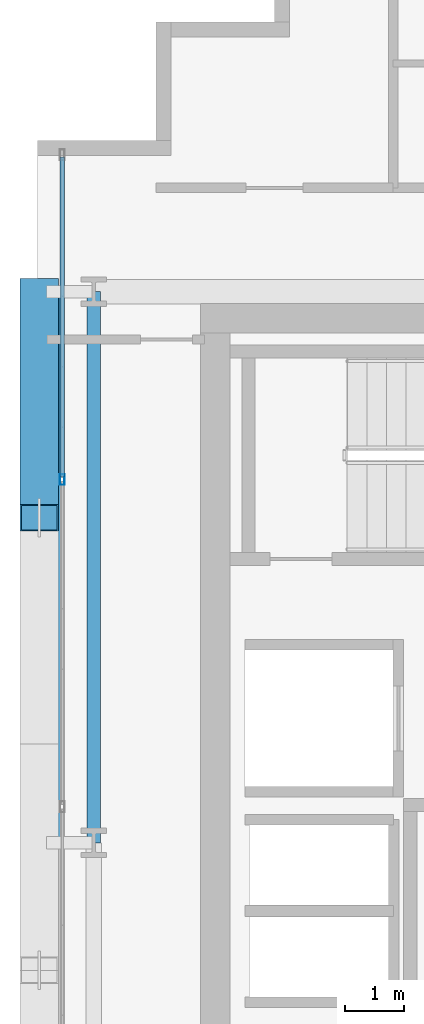
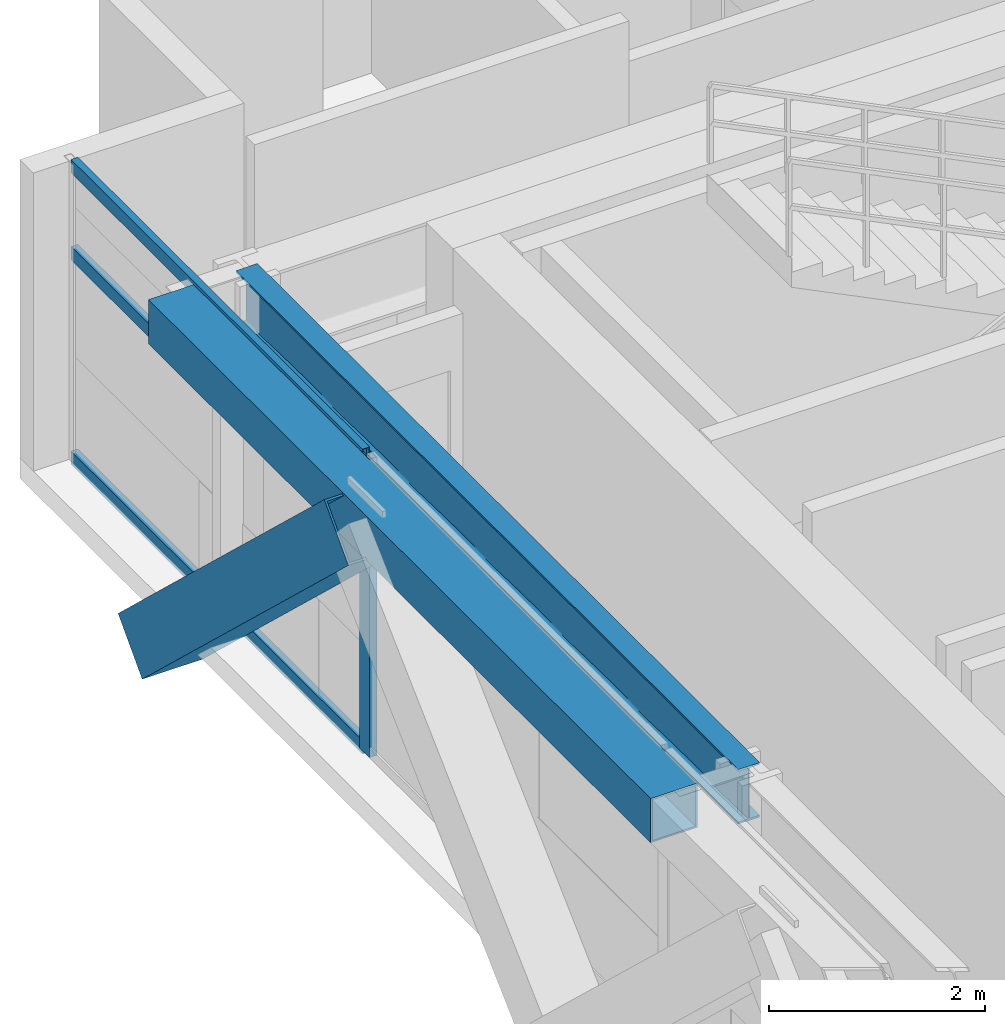
# One storey, part 8 of 31: 5 members, 2 beams, 1 element without a shape of its own.
"""IFC4 building model written with IfcOpenShell, lengths in metres."""

from ifc_helpers import new_model, si_unit, direction, frame, origin, origin_2d, place, context, subcontext, project, spatial, hollow_rectangle, i_section, extrude, source, transform, mapped, material, layer, layer_set, material_profile, profile_set, type_object, element, aggregate, save


model = new_model("IFC4")

# Units and contexts
model_context = context("Model", 3, precision=1e-05, world=origin(), true_north=direction((0.0, 1.0)))
body_context = subcontext(model_context, "Body", "Model", "MODEL_VIEW")
ifc_project = project(units=[si_unit("LENGTHUNIT", "METRE"), si_unit("AREAUNIT", "SQUARE_METRE"), si_unit("VOLUMEUNIT", "CUBIC_METRE"), si_unit("PLANEANGLEUNIT", "RADIAN"), si_unit("MASSUNIT", "GRAM", prefix="KILO")], contexts=[model_context])

# Site, building, storey
site_placement = place(None, origin())
site = spatial("IfcSite", under=ifc_project, at=site_placement, CompositionType="ELEMENT")
building_placement = place(site_placement, origin())
building = spatial("IfcBuilding", under=site, at=building_placement, Name="Ocotamira Hotel", CompositionType="ELEMENT")
storey_placement = place(building_placement, frame((0.0, 0.0, 181.199951171875)))
storey = spatial("IfcBuildingStorey", under=building, at=storey_placement, Name="L45", CompositionType="ELEMENT", Elevation=181.199951171875)

# Beams
ifc_material_1 = material(Name="Steel ASTM A992 Grade 50", Category="steel")
ifc_material_profile_1 = material_profile(ifc_material_1, i_section(OverallWidth=0.22998046875, OverallDepth=0.616943359375, WebThickness=0.01318359375, FlangeThickness=0.022216796875, FilletRadius=0.012939453125, at=origin_2d()), Name="W24X94")
ifc_profile_set_1 = profile_set([ifc_material_profile_1], Name="Steel ASTM A992 Grade 50")
beam_type_1 = type_object("IfcBeamType", Name="BM-PRIM-W24X94", PredefinedType="BEAM", material=ifc_profile_set_1)
shared_shape_1 = source(origin(), body_context, "Body", "SweptSolid", [
    extrude(i_section(OverallWidth=0.22998046875, OverallDepth=0.616943359375, WebThickness=0.01318359375, FlangeThickness=0.022216796875, FilletRadius=0.012939453125, at=origin_2d()), origin(), (0.0, 0.0, 1.0), 9.300048828125),
])
beam_1_placement = place(storey_placement, frame((8.949951171875, 28.14990234375, 3.0615234375), z_axis=(0.0, 1.0, 0.0), x_axis=(-1.0, 0.0, 0.0)))
element("IfcBeam", 1, at=beam_1_placement, inside=storey, type_object=beam_type_1, Name="L45 Beam X8.95 Y28.15-37.45", PredefinedType="BEAM", context=body_context, shape_type="MappedRepresentation", body=[
    mapped(shared_shape_1, transform((0.0, 0.0, 0.0), scale=1.0)),
])
ifc_material_2 = material(Name="Steel ASTM A500 Grade C", Category="steel")
ifc_material_profile_2 = material_profile(ifc_material_2, hollow_rectangle(XDim=0.5, YDim=0.5, WallThickness=0.02001953125, at=origin_2d()), Name="HSS500X500X20")
ifc_profile_set_2 = profile_set([ifc_material_profile_2], Name="Steel ASTM A500 Grade C")
beam_type_2 = type_object("IfcBeamType", Name="BM-SPAN-HSS500", PredefinedType="USERDEFINED", material=ifc_profile_set_2)
shared_shape_2 = source(origin(), body_context, "Body", "SweptSolid", [
    extrude(hollow_rectangle(XDim=0.5, YDim=0.5, WallThickness=0.02001953125, at=origin_2d()), origin(), (0.0, 0.0, 1.0), 9.300048828125),
])
beam_2_placement = place(storey_placement, frame((8.14990234375, 28.14990234375, 3.1201171875), z_axis=(0.0, 1.0, 0.0), x_axis=(-1.0, 0.0, 0.0)))
element("IfcBeam", 2, at=beam_2_placement, inside=storey, type_object=beam_type_2, Name="L45 Edge Spandrel W Y28.15-37.45", ObjectType="SPANDREL", PredefinedType="USERDEFINED", context=body_context, shape_type="MappedRepresentation", body=[
    mapped(shared_shape_2, transform((0.0, 0.0, 0.0), scale=1.0)),
])

# Member
ifc_material_3 = material(Name="Pale-metal coated steel ASTM A913 Grade 65", Category="steel")
ifc_material_profile_3 = material_profile(ifc_material_3, hollow_rectangle(XDim=0.64990234375, YDim=0.64990234375, WallThickness=0.02197265625, at=origin_2d()), Name="BOX650X650X22")
ifc_profile_set_3 = profile_set([ifc_material_profile_3], Name="Pale-metal coated steel ASTM A913 Grade 65")
member_type_1 = type_object("IfcMemberType", Name="MEM-EXO-BOX650", PredefinedType="BRACE", material=ifc_profile_set_3)
shared_shape_3 = source(origin(), body_context, "Body", "SweptSolid", [
    extrude(hollow_rectangle(XDim=0.64990234375, YDim=0.64990234375, WallThickness=0.02197265625, at=origin_2d()), origin(), (0.0, 0.0, 1.0), 5.24658203125),
])
member_1_placement = place(storey_placement, frame((8.030029296875, 37.449951171875, -0.47998046875), z_axis=(0.0, -0.727442733726, 0.686168397078), x_axis=(1.0, 0.0, 0.0)))
element("IfcMember", 3, at=member_1_placement, inside=storey, type_object=member_type_1, Name="L45 Exoskeleton Diagrid W2.2", PredefinedType="BRACE", context=body_context, shape_type="MappedRepresentation", body=[
    mapped(shared_shape_3, transform((0.0, 0.0, 0.0), scale=1.0)),
])

# Curtain wall, members
ifc_material_4 = material(Name="Anodised pale-metal aluminium and solar glass", Category="aluminium")
ifc_layer = layer(ifc_material_4, 0.199951171875)
ifc_layer_set = layer_set([ifc_layer], Name="Anodised pale-metal aluminium and solar glass")
curtain_wall_type = type_object("IfcCurtainWallType", Name="CW-SYS4-Z3", PredefinedType="NOTDEFINED", material=ifc_layer_set)
curtain_wall_placement = place(storey_placement, origin())
curtain_wall = element("IfcCurtainWall", 4, at=curtain_wall_placement, inside=storey, type_object=curtain_wall_type, Name="L45 Curtain Wall CW-4 CW-L45-W", PredefinedType="NOTDEFINED")
ifc_material_5 = material(Name="Anodised pale-metal aluminium 6063-T6", Category="aluminium")
ifc_material_profile_4 = material_profile(ifc_material_5, hollow_rectangle(XDim=0.080078125, YDim=0.179931640625, WallThickness=0.006103515625, at=origin_2d()), Name="HSS180X80X6")
ifc_profile_set_4 = profile_set([ifc_material_profile_4], Name="Anodised pale-metal aluminium 6063-T6")
member_type_2 = type_object("IfcMemberType", Name="CWM-180X75", PredefinedType="MULLION", material=ifc_profile_set_4)
shared_shape_4 = source(origin(), body_context, "Body", "SweptSolid", [
    extrude(hollow_rectangle(XDim=0.080078125, YDim=0.179931640625, WallThickness=0.006103515625, at=origin_2d()), origin(), (0.0, 0.0, 1.0), 3.3701171875),
])
member_2_placement = place(storey_placement, frame((8.419921875, 34.280029296875, 0.0), z_axis=(0.0, 0.0, 1.0), x_axis=(-1.0, 0.0, 0.0)))
member_2 = element("IfcMember", 5, at=member_2_placement, type_object=member_type_2, Name="CW-4 mullion 5", PredefinedType="MULLION", context=body_context, shape_type="MappedRepresentation", body=[
    mapped(shared_shape_4, transform((0.0, 0.0, 0.0), scale=1.0)),
])
ifc_material_profile_5 = material_profile(ifc_material_5, hollow_rectangle(XDim=0.074951171875, YDim=0.14990234375, WallThickness=0.006103515625, at=origin_2d()), Name="HSS150X75X6")
ifc_profile_set_5 = profile_set([ifc_material_profile_5], Name="Anodised pale-metal aluminium 6063-T6")
member_type_3 = type_object("IfcMemberType", Name="CWT-150X75", PredefinedType="USERDEFINED", material=ifc_profile_set_5)
shared_shape_5 = source(origin(), body_context, "Body", "SweptSolid", [
    extrude(hollow_rectangle(XDim=0.074951171875, YDim=0.14990234375, WallThickness=0.006103515625, at=origin_2d()), origin(), (0.0, 0.0, 1.0), 5.39990234375),
])
member_3_placement = place(storey_placement, frame((8.419921875, 34.320068359375, 0.03759765625), z_axis=(0.0, 1.0, 0.0), x_axis=(-1.0, 0.0, 0.0)))
member_3 = element("IfcMember", 6, at=member_3_placement, type_object=member_type_3, Name="CW-4 transom 5.1", ObjectType="TRANSOM", PredefinedType="USERDEFINED", context=body_context, shape_type="MappedRepresentation", body=[
    mapped(shared_shape_5, transform((0.0, 0.0, 0.0), scale=1.0)),
])
member_4_placement = place(storey_placement, frame((8.419921875, 34.320068359375, 2.35009765625), z_axis=(0.0, 1.0, 0.0), x_axis=(-1.0, 0.0, 0.0)))
member_4 = element("IfcMember", 7, at=member_4_placement, type_object=member_type_3, Name="CW-4 transom 5.2", ObjectType="TRANSOM", PredefinedType="USERDEFINED", context=body_context, shape_type="MappedRepresentation", body=[
    mapped(shared_shape_5, transform((0.0, 0.0, 0.0), scale=1.0)),
])
member_5_placement = place(storey_placement, frame((8.419921875, 34.320068359375, 3.33251953125), z_axis=(0.0, 1.0, 0.0), x_axis=(-1.0, 0.0, 0.0)))
member_5 = element("IfcMember", 8, at=member_5_placement, type_object=member_type_3, Name="CW-4 transom 5.3", ObjectType="TRANSOM", PredefinedType="USERDEFINED", context=body_context, shape_type="MappedRepresentation", body=[
    mapped(shared_shape_5, transform((0.0, 0.0, 0.0), scale=1.0)),
])
aggregate(curtain_wall, [member_2, member_3, member_4, member_5])

save(model, "model.ifc")
